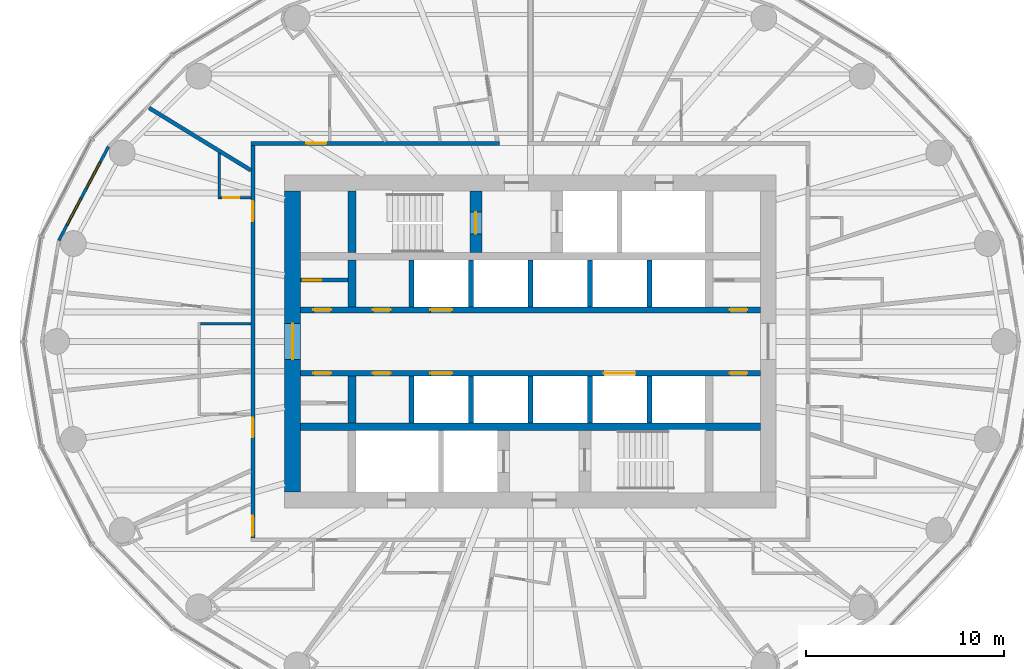
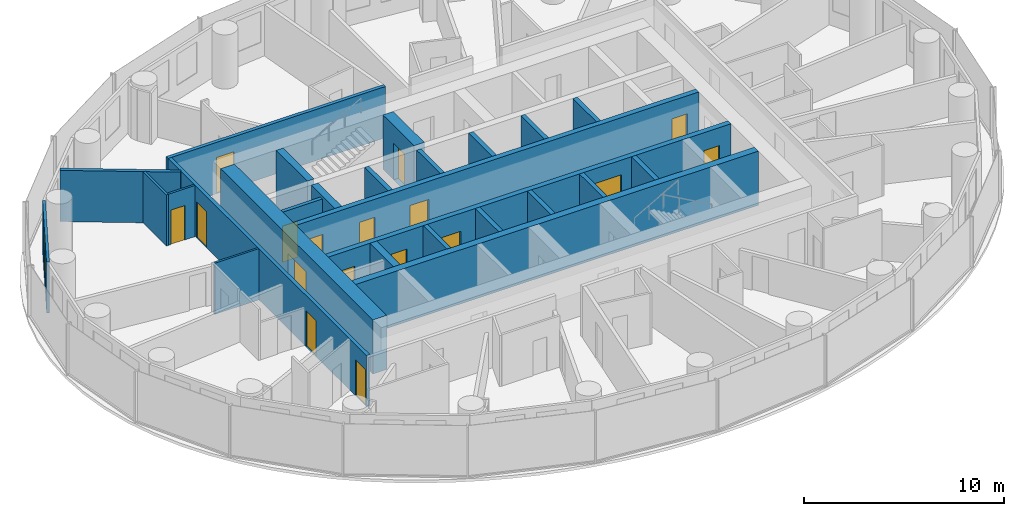
# One storey, part 8 of 13: 26 walls, 17 doors, 2 windows, 19 openings.
"""IFC4 building model written with IfcOpenShell, lengths in metres."""

import ifcopenshell
import ifcopenshell.guid

model = None  # the IFC model being written
_history = None  # IfcOwnerHistory: only IFC2X3 demands one
_inside = {}  # id of a spatial element -> (the spatial element, [elements in it])
_under = {}  # id of a project, library or spatial element -> (it, [spatial elements below it])
_declared = {}  # id of a project -> (the project, [libraries it declares])
_typed = {}  # id of a type object -> (the type object, [elements of that type])
_made_of = {}  # id of a material, layer set ... -> (it, [elements and type objects made of it])


def new_model(schema):
    """Start an empty IFC model of exactly this schema.

    Asked for "IFC4X3", IfcOpenShell would pick the latest addendum, in which some entities
    have other attributes; the version numbers below select the first issue.
    IFC2X3 requires an IfcOwnerHistory on every rooted entity: one is made here for all.
    """
    global model, _history
    if schema == "IFC4X3":
        model = ifcopenshell.file(schema_version=(4, 3, 0, 0))
    else:
        model = ifcopenshell.file(schema=schema)
    _inside.clear()
    _under.clear()
    _declared.clear()
    _typed.clear()
    _made_of.clear()
    _history = None
    if model.schema == "IFC2X3":
        org = make("IfcOrganization", Name="unknown")
        user = make(
            "IfcPersonAndOrganization",
            ThePerson=make("IfcPerson", FamilyName="unknown"),
            TheOrganization=org,
        )
        app = make(
            "IfcApplication",
            ApplicationDeveloper=org,
            Version="unknown",
            ApplicationFullName="unknown",
            ApplicationIdentifier="unknown",
        )
        _history = make(
            "IfcOwnerHistory",
            OwningUser=user,
            OwningApplication=app,
            ChangeAction="ADDED",
            CreationDate=0,
        )
    return model


def make(cls, **values):
    """One entity of the class cls with the attributes given. An attribute that is None is left unset."""
    return model.create_entity(
        cls, **{name: value for name, value in values.items() if value is not None}
    )


def rooted(cls, **values):
    """An entity with a GlobalId (a new one), such as an element, a storey or a relation."""
    return make(cls, GlobalId=ifcopenshell.guid.new(), OwnerHistory=_history, **values)


def si_unit(unit_type, name, prefix=None):
    """IfcSIUnit, for example si_unit("LENGTHUNIT", "METRE", prefix="MILLI")."""
    return make("IfcSIUnit", UnitType=unit_type, Prefix=prefix, Name=name)


def assignment(units):
    """IfcUnitAssignment: the units of a project."""
    return None if units is None else make("IfcUnitAssignment", Units=units)


def point(xyz):
    """IfcCartesianPoint."""
    return None if xyz is None else make("IfcCartesianPoint", Coordinates=xyz)


def direction(xyz):
    """IfcDirection."""
    return None if xyz is None else make("IfcDirection", DirectionRatios=xyz)


def frame(location, z_axis=None, x_axis=None):
    """IfcAxis2Placement3D, a coordinate frame: its origin and axes. An axis left out is left unset."""
    return make(
        "IfcAxis2Placement3D",
        Location=point(location),
        Axis=direction(z_axis),
        RefDirection=direction(x_axis),
    )


def frame_2d(location, x_axis=None):
    """IfcAxis2Placement2D, a coordinate frame in the plane: its origin and x axis."""
    return make(
        "IfcAxis2Placement2D", Location=point(location), RefDirection=direction(x_axis)
    )


def origin():
    """The frame at (0, 0, 0) with its axes left unset."""
    return frame((0.0, 0.0, 0.0))


def place(relative_to, where):
    """IfcLocalPlacement: puts the frame where relative to a parent placement (None: the world)."""
    return make(
        "IfcLocalPlacement", PlacementRelTo=relative_to, RelativePlacement=where
    )


def context(
    kind, dimensions, precision=None, world=None, true_north=None, identifier=None
):
    """IfcGeometricRepresentationContext, for example the 3D "Model" context."""
    return make(
        "IfcGeometricRepresentationContext",
        ContextIdentifier=identifier,
        ContextType=kind,
        CoordinateSpaceDimension=dimensions,
        Precision=precision,
        WorldCoordinateSystem=world,
        TrueNorth=true_north,
    )


def subcontext(parent, identifier, kind, view, scale=None):
    """IfcGeometricRepresentationSubContext, for example "Body" below "Model"."""
    return make(
        "IfcGeometricRepresentationSubContext",
        ContextIdentifier=identifier,
        ContextType=kind,
        ParentContext=parent,
        TargetScale=scale,
        TargetView=view,
    )


def project(units=None, contexts=None):
    """IfcProject with its units and contexts."""
    return rooted(
        "IfcProject",
        Name="project",
        RepresentationContexts=contexts,
        UnitsInContext=assignment(units),
    )


def spatial(cls, under=None, at=None, **own):
    """A site, building, storey or space (cls), placed at a placement, below another one or the project."""
    s = rooted(cls, ObjectPlacement=at, **own)
    if under is not None:
        _under.setdefault(under.id(), (under, []))[1].append(s)
    return s


def profile(cls, at=None, kind="AREA", **sizes):
    """A parametric profile (cls). Its sizes go by their IFC names, for example OverallWidth=200.0."""
    return make(cls, ProfileType=kind, Position=at, **sizes)


def rectangle(**sizes):
    """IfcRectangleProfileDef."""
    return profile("IfcRectangleProfileDef", **sizes)


def extrude(swept, where, along, depth):
    """IfcExtrudedAreaSolid: the profile swept, set in the frame where, extruded along a direction by depth."""
    return make(
        "IfcExtrudedAreaSolid",
        SweptArea=swept,
        Position=where,
        ExtrudedDirection=direction(along),
        Depth=depth,
    )


def shape(context_of_items, identifier, shape_type, items):
    """IfcShapeRepresentation: the items that make up one representation, for example the "Body"."""
    return make(
        "IfcShapeRepresentation",
        ContextOfItems=context_of_items,
        RepresentationIdentifier=identifier,
        RepresentationType=shape_type,
        Items=items,
    )


def material(Name=None, Category=None):
    """IfcMaterial."""
    return make("IfcMaterial", Name=Name, Category=Category)


def layer(
    of_material, thickness, ventilated=None, Name=None, Category=None, Priority=None
):
    """IfcMaterialLayer: one layer of a wall or slab, of a material (None: an air gap)."""
    return make(
        "IfcMaterialLayer",
        Material=of_material,
        LayerThickness=thickness,
        IsVentilated=ventilated,
        Name=Name,
        Category=Category,
        Priority=Priority,
    )


def layer_set(layers, Name=None):
    """IfcMaterialLayerSet."""
    return make("IfcMaterialLayerSet", MaterialLayers=layers, LayerSetName=Name)


def made_of(thing, what):
    """Note that an element or type object is made of a material, layer set ...; save() writes the relation."""
    if what is not None:
        _made_of.setdefault(what.id(), (what, []))[1].append(thing)
    return thing


def type_object(cls, material=None, **own):
    """A type object (cls), such as IfcWallType, which elements share."""
    return made_of(rooted(cls, **own), material)


def element(
    cls,
    number,
    at=None,
    inside=None,
    cuts=None,
    type_object=None,
    material=None,
    context=None,
    identifier="Body",
    shape_type=None,
    held_by="IfcProductDefinitionShape",
    body=None,
    shapes=None,
    **own,
):
    """One element of the class cls, such as IfcWall. Its Tag is "e" and its number.

    at: its placement. inside: the storey or other place that contains it. cuts: it is an
    opening in that element (IfcRelVoidsElement). A single representation is given by context,
    identifier, shape_type and body (its items); several are given by shapes. held_by: the class
    of the entity that holds the representations. save() writes the other relations.
    """
    e = rooted(cls, Tag="e%d" % number, ObjectPlacement=at, **own)
    if body is not None:
        shapes = [shape(context, identifier, shape_type, body)]
    if shapes is not None:
        e.Representation = make(held_by, Representations=shapes)
    if inside is not None:
        _inside.setdefault(inside.id(), (inside, []))[1].append(e)
    if cuts is not None:
        rooted(
            "IfcRelVoidsElement", RelatingBuildingElement=cuts, RelatedOpeningElement=e
        )
    if type_object is not None:
        _typed.setdefault(type_object.id(), (type_object, []))[1].append(e)
    return made_of(e, material)


def fill(opening, filler):
    """IfcRelFillsElement: the door or window that sits in an opening."""
    return rooted(
        "IfcRelFillsElement",
        RelatingOpeningElement=opening,
        RelatedBuildingElement=filler,
    )


def aggregate(whole, parts):
    """IfcRelAggregates: a whole, such as a stair, and the parts it consists of."""
    return rooted("IfcRelAggregates", RelatingObject=whole, RelatedObjects=parts)


def save(model, path):
    """Write the relations noted so far, then the file.

    IfcRelAggregates (storeys below a building ...), IfcRelContainedInSpatialStructure (elements
    in a storey), IfcRelDefinesByType, IfcRelAssociatesMaterial and IfcRelDeclares: one each for
    every whole, place, type object, material and project.
    """
    for whole, parts in _under.values():
        aggregate(whole, parts)
    for where, things in _inside.values():
        rooted(
            "IfcRelContainedInSpatialStructure",
            RelatedElements=things,
            RelatingStructure=where,
        )
    for kind, things in _typed.values():
        rooted("IfcRelDefinesByType", RelatedObjects=things, RelatingType=kind)
    for what, things in _made_of.values():
        rooted("IfcRelAssociatesMaterial", RelatedObjects=things, RelatingMaterial=what)
    for by, libraries in _declared.values():
        rooted("IfcRelDeclares", RelatingContext=by, RelatedDefinitions=libraries)
    model.write(path)


model = new_model("IFC4")

# Units and contexts
model_context = context("Model", 3, precision=1e-05, world=origin(), true_north=direction((0.0, 1.0)))
body_context = subcontext(model_context, "Body", "Model", "MODEL_VIEW")
ifc_project = project(units=[si_unit("LENGTHUNIT", "METRE"), si_unit("AREAUNIT", "SQUARE_METRE"), si_unit("VOLUMEUNIT", "CUBIC_METRE"), si_unit("PLANEANGLEUNIT", "RADIAN"), si_unit("MASSUNIT", "GRAM", prefix="KILO")], contexts=[model_context])

# Site, building, storey
site_placement = place(None, origin())
site = spatial("IfcSite", under=ifc_project, at=site_placement, CompositionType="ELEMENT")
building_placement = place(site_placement, origin())
building = spatial("IfcBuilding", under=site, at=building_placement, Name="Hankou Lantern Tower", CompositionType="ELEMENT")
storey_placement = place(building_placement, frame((0.0, 0.0, 132.0)))
storey = spatial("IfcBuildingStorey", under=building, at=storey_placement, Name="L34", CompositionType="ELEMENT", Elevation=132.0)

# Wall, opening, door
ifc_material_1 = material(Name="Concrete C60", Category="concrete")
ifc_layer_1 = layer(ifc_material_1, 0.800048828125)
ifc_layer_set_1 = layer_set([ifc_layer_1], Name="Concrete C60")
wall_type_1 = type_object("IfcWallType", Name="CW2 CORE WALL 800", PredefinedType="SHEAR", material=ifc_layer_set_1)
wall_1_placement = place(storey_placement, frame((-12.0, 7.60009765625, 0.0), z_axis=(0.0, 0.0, 1.0), x_axis=(0.0, -1.0, 0.0)))
wall_1 = element("IfcWall", 1, at=wall_1_placement, inside=storey, type_object=wall_type_1, Name="Core wall west L34", PredefinedType="SHEAR", context=body_context, shape_type="SweptSolid", body=[
    extrude(rectangle(XDim=15.2001953125, YDim=0.800048828125, at=frame_2d((7.60009765625, 0.0))), origin(), (0.0, 0.0, 1.0), 3.300048828125),
])
opening_1_placement = place(wall_1_placement, frame((6.699951171875, 0.0, 0.0)))
opening_1 = element("IfcOpeningElement", 2, at=opening_1_placement, cuts=wall_1, Name="Opening D6", PredefinedType="OPENING", context=body_context, shape_type="SweptSolid", body=[
    extrude(rectangle(XDim=1.800048828125, YDim=2.199951171875, at=frame_2d((0.89990234375, 1.10009765625))), frame((0.0, 0.409912109375, 0.0), z_axis=(0.0, -1.0, 0.0), x_axis=(1.0, 0.0, 0.0)), (0.0, 0.0, 1.0), 0.820068359375),
])
ifc_material_2 = material(Name="Steel door leaf", Category="steel")
door_type_1 = type_object("IfcDoorType", Name="D6 LIFT LOBBY DOOR 1800X2200", OperationType="DOUBLE_DOOR_DOUBLE_SWING", PredefinedType="DOOR", material=ifc_material_2)
door_1_placement = place(opening_1_placement, origin())
door_1 = element("IfcDoor", 3, at=door_1_placement, inside=storey, type_object=door_type_1, Name="Lift lobby west door", OperationType="DOUBLE_DOOR_DOUBLE_SWING", OverallHeight=2.199951171875, OverallWidth=1.800048828125, PredefinedType="DOOR", context=body_context, shape_type="SweptSolid", body=[
    extrude(rectangle(XDim=1.800048828125, YDim=2.199951171875, at=frame_2d((0.89990234375, 1.10009765625))), frame((0.0, 0.02490234375, 0.0), z_axis=(0.0, -1.0, 0.0), x_axis=(1.0, 0.0, 0.0)), (0.0, 0.0, 1.0), 0.050048828125),
])
fill(opening_1, door_1)

# Walls
ifc_material_3 = material(Name="Concrete C60", Category="concrete")
ifc_layer_2 = layer(ifc_material_3, 0.39990234375)
ifc_layer_set_2 = layer_set([ifc_layer_2], Name="Concrete C60")
wall_type_2 = type_object("IfcWallType", Name="CW4 CORE CROSS WALL 400", PredefinedType="SHEAR", material=ifc_layer_set_2)
wall_2_placement = place(storey_placement, frame((-11.60009765625, -4.300048828125, 0.0), z_axis=(0.0, 0.0, 1.0), x_axis=(1.0, 0.0, 0.0)))
element("IfcWall", 4, at=wall_2_placement, inside=storey, type_object=wall_type_2, Name="Core band wall south L34", PredefinedType="SHEAR", context=body_context, shape_type="SweptSolid", body=[
    extrude(rectangle(XDim=23.2001953125, YDim=0.39990234375, at=frame_2d((11.60009765625, 0.0))), origin(), (0.0, 0.0, 1.0), 3.300048828125),
])
wall_3_placement = place(storey_placement, frame((-9.0, 4.5, 0.0), z_axis=(0.0, 0.0, 1.0), x_axis=(0.0, 1.0, 0.0)))
element("IfcWall", 5, at=wall_3_placement, inside=storey, type_object=wall_type_2, Name="Core strip wall L34", PredefinedType="SHEAR", context=body_context, shape_type="SweptSolid", body=[
    extrude(rectangle(XDim=3.10009765625, YDim=0.39990234375, at=frame_2d((1.550048828125, 0.0))), origin(), (0.0, 0.0, 1.0), 3.300048828125),
])
for number, where, z_axis, x_axis, name in (
    (6, (-9.0, 1.75, 0.0), (0.0, 0.0, 1.0), (0.0, 1.0, 0.0), "Core strip wall L34"),
    (7, (-9.0, -4.10009765625, 0.0), (0.0, 0.0, 1.0), (0.0, 1.0, 0.0), "Core strip wall L34"),
):
    element("IfcWall", number, at=place(storey_placement, frame(where, z_axis=z_axis, x_axis=x_axis)), inside=storey, type_object=wall_type_2, Name=name, PredefinedType="SHEAR", context=body_context, shape_type="SweptSolid", body=[
        extrude(rectangle(XDim=2.35009765625, YDim=0.39990234375, at=frame_2d((1.175048828125, 0.0))), origin(), (0.0, 0.0, 1.0), 3.300048828125),
    ])

# Wall, openings, doors
ifc_material_4 = material(Name="Concrete C60", Category="concrete")
ifc_layer_3 = layer(ifc_material_4, 0.300048828125)
ifc_layer_set_3 = layer_set([ifc_layer_3], Name="Concrete C60")
wall_type_3 = type_object("IfcWallType", Name="CW5 LIFT LOBBY WALL 300", PredefinedType="SHEAR", material=ifc_layer_set_3)
wall_4_placement = place(storey_placement, frame((-11.60009765625, 1.60009765625, 0.0), z_axis=(0.0, 0.0, 1.0), x_axis=(1.0, 0.0, 0.0)))
wall_4 = element("IfcWall", 8, at=wall_4_placement, inside=storey, type_object=wall_type_3, Name="Lift lobby wall north L34", PredefinedType="SHEAR", context=body_context, shape_type="SweptSolid", body=[
    extrude(rectangle(XDim=23.2001953125, YDim=0.300048828125, at=frame_2d((11.60009765625, 0.0))), origin(), (0.0, 0.0, 1.0), 3.300048828125),
])
opening_2_placement = place(wall_4_placement, frame((6.550048828125, 0.0, 0.0)))
opening_2 = element("IfcOpeningElement", 9, at=opening_2_placement, cuts=wall_4, Name="Opening LD1", PredefinedType="OPENING", context=body_context, shape_type="SweptSolid", body=[
    extrude(rectangle(XDim=1.10009765625, YDim=2.199951171875, at=frame_2d((0.550048828125, 1.10009765625))), frame((0.0, 0.159912109375, 0.0), z_axis=(0.0, -1.0, 0.0), x_axis=(1.0, 0.0, 0.0)), (0.0, 0.0, 1.0), 0.320068359375),
])
opening_3_placement = place(wall_4_placement, frame((3.64990234375, 0.0, 0.0)))
opening_3 = element("IfcOpeningElement", 10, at=opening_3_placement, cuts=wall_4, Name="Opening D30", PredefinedType="OPENING", context=body_context, shape_type="SweptSolid", body=[
    extrude(rectangle(XDim=0.89990234375, YDim=2.199951171875, at=frame_2d((0.449951171875, 1.10009765625))), frame((0.0, 0.159912109375, 0.0), z_axis=(0.0, -1.0, 0.0), x_axis=(1.0, 0.0, 0.0)), (0.0, 0.0, 1.0), 0.320068359375),
])
opening_4_placement = place(wall_4_placement, frame((21.64990234375, 0.0, 0.0)))
opening_4 = element("IfcOpeningElement", 11, at=opening_4_placement, cuts=wall_4, Name="Opening D30", PredefinedType="OPENING", context=body_context, shape_type="SweptSolid", body=[
    extrude(rectangle(XDim=0.89990234375, YDim=2.199951171875, at=frame_2d((0.449951171875, 1.10009765625))), frame((0.0, 0.159912109375, 0.0), z_axis=(0.0, -1.0, 0.0), x_axis=(1.0, 0.0, 0.0)), (0.0, 0.0, 1.0), 0.320068359375),
])
opening_5_placement = place(wall_4_placement, frame((0.64990234375, 0.0, 0.0)))
opening_5 = element("IfcOpeningElement", 12, at=opening_5_placement, cuts=wall_4, Name="Opening D30", PredefinedType="OPENING", context=body_context, shape_type="SweptSolid", body=[
    extrude(rectangle(XDim=0.89990234375, YDim=2.199951171875, at=frame_2d((0.449951171875, 1.10009765625))), frame((0.0, 0.159912109375, 0.0), z_axis=(0.0, -1.0, 0.0), x_axis=(1.0, 0.0, 0.0)), (0.0, 0.0, 1.0), 0.320068359375),
])
ifc_material_5 = material(Name="Steel door leaf", Category="steel")
door_type_2 = type_object("IfcDoorType", Name="D30 CORE ROOM DOOR 900X2200", OperationType="SINGLE_SWING_LEFT", PredefinedType="DOOR", material=ifc_material_5)
door_2_placement = place(opening_3_placement, origin())
door_2 = element("IfcDoor", 13, at=door_2_placement, inside=storey, type_object=door_type_2, Name="Guest pantry and ice room door", OperationType="SINGLE_SWING_LEFT", OverallHeight=2.199951171875, OverallWidth=0.89990234375, PredefinedType="DOOR", context=body_context, shape_type="SweptSolid", body=[
    extrude(rectangle(XDim=0.89990234375, YDim=2.199951171875, at=frame_2d((0.449951171875, 1.10009765625))), frame((0.0, 0.02490234375, 0.0), z_axis=(0.0, -1.0, 0.0), x_axis=(1.0, 0.0, 0.0)), (0.0, 0.0, 1.0), 0.050048828125),
])
fill(opening_3, door_2)
door_3_placement = place(opening_4_placement, origin())
door_3 = element("IfcDoor", 14, at=door_3_placement, inside=storey, type_object=door_type_2, Name="Vending room door", OperationType="SINGLE_SWING_RIGHT", OverallHeight=2.199951171875, OverallWidth=0.89990234375, PredefinedType="DOOR", context=body_context, shape_type="SweptSolid", body=[
    extrude(rectangle(XDim=0.89990234375, YDim=2.199951171875, at=frame_2d((0.449951171875, 1.10009765625))), frame((0.0, 0.02490234375, 0.0), z_axis=(0.0, -1.0, 0.0), x_axis=(1.0, 0.0, 0.0)), (0.0, 0.0, 1.0), 0.050048828125),
])
fill(opening_4, door_3)
door_4_placement = place(opening_5_placement, origin())
door_4 = element("IfcDoor", 15, at=door_4_placement, inside=storey, type_object=door_type_2, Name="IT and telecoms room door", OperationType="SINGLE_SWING_LEFT", OverallHeight=2.199951171875, OverallWidth=0.89990234375, PredefinedType="DOOR", context=body_context, shape_type="SweptSolid", body=[
    extrude(rectangle(XDim=0.89990234375, YDim=2.199951171875, at=frame_2d((0.449951171875, 1.10009765625))), frame((0.0, 0.02490234375, 0.0), z_axis=(0.0, -1.0, 0.0), x_axis=(1.0, 0.0, 0.0)), (0.0, 0.0, 1.0), 0.050048828125),
])
fill(opening_5, door_4)
ifc_material_6 = material(Name="Steel door leaf", Category="steel")
door_type_3 = type_object("IfcDoorType", Name="LD1 LIFT LANDING DOOR 1100X2200", OperationType="DOUBLE_DOOR_SLIDING", PredefinedType="DOOR", material=ifc_material_6)
door_5_placement = place(opening_2_placement, origin())
door_5 = element("IfcDoor", 16, at=door_5_placement, inside=storey, type_object=door_type_3, Name="Lift M1 landing door", OperationType="DOUBLE_DOOR_SLIDING", OverallHeight=2.199951171875, OverallWidth=1.10009765625, PredefinedType="DOOR", context=body_context, shape_type="SweptSolid", body=[
    extrude(rectangle(XDim=1.10009765625, YDim=2.199951171875, at=frame_2d((0.550048828125, 1.10009765625))), frame((0.0, 0.02490234375, 0.0), z_axis=(0.0, -1.0, 0.0), x_axis=(1.0, 0.0, 0.0)), (0.0, 0.0, 1.0), 0.050048828125),
])
fill(opening_2, door_5)

wall_5_placement = place(storey_placement, frame((-11.60009765625, -1.60009765625, 0.0), z_axis=(0.0, 0.0, 1.0), x_axis=(1.0, 0.0, 0.0)))
wall_5 = element("IfcWall", 17, at=wall_5_placement, inside=storey, type_object=wall_type_3, Name="Lift lobby wall south L34", PredefinedType="SHEAR", context=body_context, shape_type="SweptSolid", body=[
    extrude(rectangle(XDim=23.2001953125, YDim=0.300048828125, at=frame_2d((11.60009765625, 0.0))), origin(), (0.0, 0.0, 1.0), 3.300048828125),
])
opening_6_placement = place(wall_5_placement, frame((6.550048828125, 0.0, 0.0)))
opening_6 = element("IfcOpeningElement", 18, at=opening_6_placement, cuts=wall_5, Name="Opening LD1", PredefinedType="OPENING", context=body_context, shape_type="SweptSolid", body=[
    extrude(rectangle(XDim=1.10009765625, YDim=2.199951171875, at=frame_2d((0.550048828125, 1.10009765625))), frame((0.0, 0.159912109375, 0.0), z_axis=(0.0, -1.0, 0.0), x_axis=(1.0, 0.0, 0.0)), (0.0, 0.0, 1.0), 0.320068359375),
])
opening_7_placement = place(wall_5_placement, frame((15.300048828125, 0.0, 0.0)))
opening_7 = element("IfcOpeningElement", 19, at=opening_7_placement, cuts=wall_5, Name="Opening LD4", PredefinedType="OPENING", context=body_context, shape_type="SweptSolid", body=[
    extrude(rectangle(XDim=1.60009765625, YDim=2.39990234375, at=frame_2d((0.800048828125, 1.199951171875))), frame((0.0, 0.159912109375, 0.0), z_axis=(0.0, -1.0, 0.0), x_axis=(1.0, 0.0, 0.0)), (0.0, 0.0, 1.0), 0.320068359375),
])
opening_8_placement = place(wall_5_placement, frame((0.64990234375, 0.0, 0.0)))
opening_8 = element("IfcOpeningElement", 20, at=opening_8_placement, cuts=wall_5, Name="Opening D30", PredefinedType="OPENING", context=body_context, shape_type="SweptSolid", body=[
    extrude(rectangle(XDim=0.89990234375, YDim=2.199951171875, at=frame_2d((0.449951171875, 1.10009765625))), frame((0.0, 0.159912109375, 0.0), z_axis=(0.0, -1.0, 0.0), x_axis=(1.0, 0.0, 0.0)), (0.0, 0.0, 1.0), 0.320068359375),
])
opening_9_placement = place(wall_5_placement, frame((3.64990234375, 0.0, 0.0)))
opening_9 = element("IfcOpeningElement", 21, at=opening_9_placement, cuts=wall_5, Name="Opening D30", PredefinedType="OPENING", context=body_context, shape_type="SweptSolid", body=[
    extrude(rectangle(XDim=0.89990234375, YDim=2.199951171875, at=frame_2d((0.449951171875, 1.10009765625))), frame((0.0, 0.159912109375, 0.0), z_axis=(0.0, -1.0, 0.0), x_axis=(1.0, 0.0, 0.0)), (0.0, 0.0, 1.0), 0.320068359375),
])
opening_10_placement = place(wall_5_placement, frame((21.64990234375, 0.0, 0.0)))
opening_10 = element("IfcOpeningElement", 22, at=opening_10_placement, cuts=wall_5, Name="Opening D30", PredefinedType="OPENING", context=body_context, shape_type="SweptSolid", body=[
    extrude(rectangle(XDim=0.89990234375, YDim=2.199951171875, at=frame_2d((0.449951171875, 1.10009765625))), frame((0.0, 0.159912109375, 0.0), z_axis=(0.0, -1.0, 0.0), x_axis=(1.0, 0.0, 0.0)), (0.0, 0.0, 1.0), 0.320068359375),
])
door_6_placement = place(opening_8_placement, origin())
door_6 = element("IfcDoor", 23, at=door_6_placement, inside=storey, type_object=door_type_2, Name="Room service pantry door", OperationType="SINGLE_SWING_LEFT", OverallHeight=2.199951171875, OverallWidth=0.89990234375, PredefinedType="DOOR", context=body_context, shape_type="SweptSolid", body=[
    extrude(rectangle(XDim=0.89990234375, YDim=2.199951171875, at=frame_2d((0.449951171875, 1.10009765625))), frame((0.0, 0.02490234375, 0.0), z_axis=(0.0, -1.0, 0.0), x_axis=(1.0, 0.0, 0.0)), (0.0, 0.0, 1.0), 0.050048828125),
])
fill(opening_8, door_6)
door_7_placement = place(opening_9_placement, origin())
door_7 = element("IfcDoor", 24, at=door_7_placement, inside=storey, type_object=door_type_2, Name="Housekeeping and linen store door", OperationType="SINGLE_SWING_LEFT", OverallHeight=2.199951171875, OverallWidth=0.89990234375, PredefinedType="DOOR", context=body_context, shape_type="SweptSolid", body=[
    extrude(rectangle(XDim=0.89990234375, YDim=2.199951171875, at=frame_2d((0.449951171875, 1.10009765625))), frame((0.0, 0.02490234375, 0.0), z_axis=(0.0, -1.0, 0.0), x_axis=(1.0, 0.0, 0.0)), (0.0, 0.0, 1.0), 0.050048828125),
])
fill(opening_9, door_7)
door_8_placement = place(opening_10_placement, origin())
door_8 = element("IfcDoor", 25, at=door_8_placement, inside=storey, type_object=door_type_2, Name="Staff locker room door", OperationType="SINGLE_SWING_RIGHT", OverallHeight=2.199951171875, OverallWidth=0.89990234375, PredefinedType="DOOR", context=body_context, shape_type="SweptSolid", body=[
    extrude(rectangle(XDim=0.89990234375, YDim=2.199951171875, at=frame_2d((0.449951171875, 1.10009765625))), frame((0.0, 0.02490234375, 0.0), z_axis=(0.0, -1.0, 0.0), x_axis=(1.0, 0.0, 0.0)), (0.0, 0.0, 1.0), 0.050048828125),
])
fill(opening_10, door_8)
door_9_placement = place(opening_6_placement, origin())
door_9 = element("IfcDoor", 26, at=door_9_placement, inside=storey, type_object=door_type_3, Name="Lift M2 landing door", OperationType="DOUBLE_DOOR_SLIDING", OverallHeight=2.199951171875, OverallWidth=1.10009765625, PredefinedType="DOOR", context=body_context, shape_type="SweptSolid", body=[
    extrude(rectangle(XDim=1.10009765625, YDim=2.199951171875, at=frame_2d((0.550048828125, 1.10009765625))), frame((0.0, 0.02490234375, 0.0), z_axis=(0.0, -1.0, 0.0), x_axis=(1.0, 0.0, 0.0)), (0.0, 0.0, 1.0), 0.050048828125),
])
fill(opening_6, door_9)
ifc_material_7 = material(Name="Steel door leaf", Category="steel")
door_type_4 = type_object("IfcDoorType", Name="LD4 SERVICE LIFT LANDING DOOR 1600X2400", OperationType="DOUBLE_DOOR_SLIDING", PredefinedType="DOOR", material=ifc_material_7)
door_10_placement = place(opening_7_placement, origin())
door_10 = element("IfcDoor", 27, at=door_10_placement, inside=storey, type_object=door_type_4, Name="Lift SV1 landing door", OperationType="DOUBLE_DOOR_SLIDING", OverallHeight=2.39990234375, OverallWidth=1.60009765625, PredefinedType="DOOR", context=body_context, shape_type="SweptSolid", body=[
    extrude(rectangle(XDim=1.60009765625, YDim=2.39990234375, at=frame_2d((0.800048828125, 1.199951171875))), frame((0.0, 0.02490234375, 0.0), z_axis=(0.0, -1.0, 0.0), x_axis=(1.0, 0.0, 0.0)), (0.0, 0.0, 1.0), 0.050048828125),
])
fill(opening_7, door_10)

# Wall, opening, door
ifc_material_8 = material(Name="Concrete C60", Category="concrete")
ifc_layer_4 = layer(ifc_material_8, 0.60009765625)
ifc_layer_set_4 = layer_set([ifc_layer_4], Name="Concrete C60")
wall_type_4 = type_object("IfcWallType", Name="CW6 STAIR AND SHAFT WALL 600", PredefinedType="SHEAR", material=ifc_layer_set_4)
wall_6_placement = place(storey_placement, frame((-2.75, 4.5, 0.0), z_axis=(0.0, 0.0, 1.0), x_axis=(0.0, 1.0, 0.0)))
wall_6 = element("IfcWall", 28, at=wall_6_placement, inside=storey, type_object=wall_type_4, Name="Stair wall L34", PredefinedType="SHEAR", context=body_context, shape_type="SweptSolid", body=[
    extrude(rectangle(XDim=3.10009765625, YDim=0.60009765625, at=frame_2d((1.550048828125, 0.0))), origin(), (0.0, 0.0, 1.0), 3.300048828125),
])
opening_11_placement = place(wall_6_placement, frame((0.925048828125, 0.0, 0.0)))
opening_11 = element("IfcOpeningElement", 29, at=opening_11_placement, cuts=wall_6, Name="Opening D4", PredefinedType="OPENING", context=body_context, shape_type="SweptSolid", body=[
    extrude(rectangle(XDim=1.10009765625, YDim=2.199951171875, at=frame_2d((0.550048828125, 1.10009765625))), frame((0.0, 0.31005859375, 0.0), z_axis=(0.0, -1.0, 0.0), x_axis=(1.0, 0.0, 0.0)), (0.0, 0.0, 1.0), 0.6201171875),
])
ifc_material_9 = material(Name="Steel door leaf", Category="steel")
door_type_5 = type_object("IfcDoorType", Name="D4 STAIR DOOR 1100X2200", OperationType="SINGLE_SWING_LEFT", PredefinedType="DOOR", material=ifc_material_9)
door_11_placement = place(opening_11_placement, origin())
door_11 = element("IfcDoor", 30, at=door_11_placement, inside=storey, type_object=door_type_5, Name="Stair A door", OperationType="SINGLE_SWING_LEFT", OverallHeight=2.199951171875, OverallWidth=1.10009765625, PredefinedType="DOOR", context=body_context, shape_type="SweptSolid", body=[
    extrude(rectangle(XDim=1.10009765625, YDim=2.199951171875, at=frame_2d((0.550048828125, 1.10009765625))), frame((0.0, 0.02490234375, 0.0), z_axis=(0.0, -1.0, 0.0), x_axis=(1.0, 0.0, 0.0)), (0.0, 0.0, 1.0), 0.050048828125),
])
fill(opening_11, door_11)

# Wall, openings, windows
ifc_material_10 = material(Name="Aluminium spandrel panel on steel studs", Category="steel")
ifc_layer_5 = layer(ifc_material_10, 0.14990234375)
ifc_layer_set_5 = layer_set([ifc_layer_5], Name="Aluminium spandrel panel on steel studs")
wall_type_5 = type_object("IfcWallType", Name="EW1 INNER SKIN WALL 150", PredefinedType="ELEMENTEDWALL", material=ifc_layer_set_5)
wall_7_placement = place(storey_placement, frame((-21.287353515625, 9.83203125, 0.0), z_axis=(0.0, 0.0, 1.0), x_axis=(-0.467814388454, -0.883826735257, 0.0)))
wall_7 = element("IfcWall", 31, at=wall_7_placement, inside=storey, type_object=wall_type_5, Name="Inner skin R11-R12 L34", PredefinedType="ELEMENTEDWALL", context=body_context, shape_type="SweptSolid", body=[
    extrude(rectangle(XDim=5.35400390625, YDim=0.14990234375, at=frame_2d((2.677001953125, 0.0))), origin(), (0.0, 0.0, 1.0), 3.1201171875),
])
opening_12_placement = place(wall_7_placement, frame((0.876953125, 0.0, 0.89990234375)))
opening_12 = element("IfcOpeningElement", 32, at=opening_12_placement, cuts=wall_7, Name="Opening W2", PredefinedType="OPENING", context=body_context, shape_type="SweptSolid", body=[
    extrude(rectangle(XDim=1.5, YDim=1.89990234375, at=frame_2d((0.75, 0.949951171875))), frame((0.0, 0.0849609375, 0.0), z_axis=(0.0, -1.0, 0.0), x_axis=(1.0, 0.0, 0.0)), (0.0, 0.0, 1.0), 0.169921875),
])
opening_13_placement = place(wall_7_placement, frame((2.97705078125, 0.0, 0.89990234375)))
opening_13 = element("IfcOpeningElement", 33, at=opening_13_placement, cuts=wall_7, Name="Opening W2", PredefinedType="OPENING", context=body_context, shape_type="SweptSolid", body=[
    extrude(rectangle(XDim=1.5, YDim=1.89990234375, at=frame_2d((0.75, 0.949951171875))), frame((0.0, 0.0849609375, 0.0), z_axis=(0.0, -1.0, 0.0), x_axis=(1.0, 0.0, 0.0)), (0.0, 0.0, 1.0), 0.169921875),
])
ifc_material_11 = material(Name="Aluminium framed double glazed window", Category="aluminium")
window_type = type_object("IfcWindowType", Name="W2 GUEST ROOM WINDOW 1500X1900", PartitioningType="DOUBLE_PANEL_VERTICAL", PredefinedType="WINDOW", material=ifc_material_11)
window_1_placement = place(opening_12_placement, origin())
window_1 = element("IfcWindow", 34, at=window_1_placement, inside=storey, type_object=window_type, Name="Window R11.1 L34", OverallHeight=1.89990234375, OverallWidth=1.5, PartitioningType="SINGLE_PANEL", PredefinedType="WINDOW", context=body_context, shape_type="SweptSolid", body=[
    extrude(rectangle(XDim=1.5, YDim=1.89990234375, at=frame_2d((0.75, 0.949951171875))), frame((0.0, 0.030029296875, 0.0), z_axis=(0.0, -1.0, 0.0), x_axis=(1.0, 0.0, 0.0)), (0.0, 0.0, 1.0), 0.06005859375),
])
fill(opening_12, window_1)
window_2_placement = place(opening_13_placement, origin())
window_2 = element("IfcWindow", 35, at=window_2_placement, inside=storey, type_object=window_type, Name="Window R11.2 L34", OverallHeight=1.89990234375, OverallWidth=1.5, PartitioningType="SINGLE_PANEL", PredefinedType="WINDOW", context=body_context, shape_type="SweptSolid", body=[
    extrude(rectangle(XDim=1.5, YDim=1.89990234375, at=frame_2d((0.75, 0.949951171875))), frame((0.0, 0.030029296875, 0.0), z_axis=(0.0, -1.0, 0.0), x_axis=(1.0, 0.0, 0.0)), (0.0, 0.0, 1.0), 0.06005859375),
])
fill(opening_13, window_2)

# Wall
ifc_material_12 = material(Name="Masonry lightweight concrete block", Category="masonry")
ifc_layer_6 = layer(ifc_material_12, 0.199951171875)
ifc_layer_set_6 = layer_set([ifc_layer_6], Name="Masonry lightweight concrete block")
wall_type_6 = type_object("IfcWallType", Name="IW1 GUEST ROOM PARTY WALL 200", PredefinedType="PARTITIONING", material=ifc_layer_set_6)
wall_8_placement = place(storey_placement, frame((-14.10009765625, 8.6376953125, 0.0), z_axis=(0.0, 0.0, 1.0), x_axis=(-0.852706758009, 0.5223898782, 0.0)))
element("IfcWall", 36, at=wall_8_placement, inside=storey, type_object=wall_type_6, Name="Party wall R10-R11", PredefinedType="PARTITIONING", context=body_context, shape_type="SweptSolid", body=[
    extrude(rectangle(XDim=6.0185546875, YDim=0.199951171875, at=frame_2d((3.00927734375, 0.0))), origin(), (0.0, 0.0, 1.0), 3.1201171875),
])

# Wall, opening, door
ifc_material_13 = material(Name="Masonry lightweight concrete block", Category="masonry")
ifc_layer_7 = layer(ifc_material_13, 0.199951171875)
ifc_layer_set_7 = layer_set([ifc_layer_7], Name="Masonry lightweight concrete block")
wall_type_7 = type_object("IfcWallType", Name="IW2 CORRIDOR WALL 200", PredefinedType="PARTITIONING", material=ifc_layer_set_7)
wall_9_placement = place(storey_placement, frame((-14.10009765625, 10.0, 0.0), z_axis=(0.0, 0.0, 1.0), x_axis=(1.0, 0.0, 0.0)))
wall_9 = element("IfcWall", 37, at=wall_9_placement, inside=storey, type_object=wall_type_7, Name="Corridor wall north", PredefinedType="PARTITIONING", context=body_context, shape_type="SweptSolid", body=[
    extrude(rectangle(XDim=12.534912109375, YDim=0.199951171875, at=frame_2d((6.267578125, 0.0))), origin(), (0.0, 0.0, 1.0), 3.1201171875),
])
opening_14_placement = place(wall_9_placement, frame((2.801025390625, 0.0, 0.0)))
opening_14 = element("IfcOpeningElement", 38, at=opening_14_placement, cuts=wall_9, Name="Opening D1", PredefinedType="OPENING", context=body_context, shape_type="SweptSolid", body=[
    extrude(rectangle(XDim=1.0, YDim=2.199951171875, at=frame_2d((0.5, 1.10009765625))), frame((0.0, 0.10986328125, 0.0), z_axis=(0.0, -1.0, 0.0), x_axis=(1.0, 0.0, 0.0)), (0.0, 0.0, 1.0), 0.219970703125),
])
ifc_material_14 = material(Name="Steel door leaf", Category="steel")
door_type_6 = type_object("IfcDoorType", Name="D1 GUEST ROOM DOOR 1000X2200", OperationType="SINGLE_SWING_LEFT", PredefinedType="DOOR", material=ifc_material_14)
door_12_placement = place(opening_14_placement, origin())
door_12 = element("IfcDoor", 39, at=door_12_placement, inside=storey, type_object=door_type_6, Name="Guest room door 3405", OperationType="SINGLE_SWING_RIGHT", OverallHeight=2.199951171875, OverallWidth=1.0, PredefinedType="DOOR", context=body_context, shape_type="SweptSolid", body=[
    extrude(rectangle(XDim=1.0, YDim=2.199951171875, at=frame_2d((0.5, 1.10009765625))), frame((0.0, 0.02490234375, 0.0), z_axis=(0.0, -1.0, 0.0), x_axis=(1.0, 0.0, 0.0)), (0.0, 0.0, 1.0), 0.050048828125),
])
fill(opening_14, door_12)

# Wall, openings, doors
wall_10_placement = place(storey_placement, frame((-14.0, 9.89990234375, 0.0), z_axis=(0.0, 0.0, 1.0), x_axis=(0.0, -1.0, 0.0)))
wall_10 = element("IfcWall", 40, at=wall_10_placement, inside=storey, type_object=wall_type_7, Name="Corridor wall west", PredefinedType="PARTITIONING", context=body_context, shape_type="SweptSolid", body=[
    extrude(rectangle(XDim=19.7998046875, YDim=0.199951171875, at=frame_2d((9.89990234375, 0.0))), origin(), (0.0, 0.0, 1.0), 3.1201171875),
])
opening_15_placement = place(wall_10_placement, frame((2.822265625, 0.0, 0.0)))
opening_15 = element("IfcOpeningElement", 41, at=opening_15_placement, cuts=wall_10, Name="Opening D2", PredefinedType="OPENING", context=body_context, shape_type="SweptSolid", body=[
    extrude(rectangle(XDim=1.0, YDim=2.199951171875, at=frame_2d((0.5, 1.10009765625))), frame((0.0, 0.10986328125, 0.0), z_axis=(0.0, -1.0, 0.0), x_axis=(1.0, 0.0, 0.0)), (0.0, 0.0, 1.0), 0.219970703125),
])
opening_16_placement = place(wall_10_placement, frame((13.74169921875, 0.0, 0.0)))
opening_16 = element("IfcOpeningElement", 42, at=opening_16_placement, cuts=wall_10, Name="Opening D1", PredefinedType="OPENING", context=body_context, shape_type="SweptSolid", body=[
    extrude(rectangle(XDim=1.0, YDim=2.199951171875, at=frame_2d((0.5, 1.10009765625))), frame((0.0, 0.10986328125, 0.0), z_axis=(0.0, -1.0, 0.0), x_axis=(1.0, 0.0, 0.0)), (0.0, 0.0, 1.0), 0.219970703125),
])
opening_17_placement = place(wall_10_placement, frame((18.697509765625, 0.0, 0.0)))
opening_17 = element("IfcOpeningElement", 43, at=opening_17_placement, cuts=wall_10, Name="Opening D1", PredefinedType="OPENING", context=body_context, shape_type="SweptSolid", body=[
    extrude(rectangle(XDim=1.0, YDim=2.199951171875, at=frame_2d((0.5, 1.10009765625))), frame((0.0, 0.10986328125, 0.0), z_axis=(0.0, -1.0, 0.0), x_axis=(1.0, 0.0, 0.0)), (0.0, 0.0, 1.0), 0.219970703125),
])
door_13_placement = place(opening_16_placement, origin())
door_13 = element("IfcDoor", 44, at=door_13_placement, inside=storey, type_object=door_type_6, Name="Guest room door 3407", OperationType="SINGLE_SWING_RIGHT", OverallHeight=2.199951171875, OverallWidth=1.0, PredefinedType="DOOR", context=body_context, shape_type="SweptSolid", body=[
    extrude(rectangle(XDim=1.0, YDim=2.199951171875, at=frame_2d((0.5, 1.10009765625))), frame((0.0, 0.02490234375, 0.0), z_axis=(0.0, -1.0, 0.0), x_axis=(1.0, 0.0, 0.0)), (0.0, 0.0, 1.0), 0.050048828125),
])
fill(opening_16, door_13)
door_14_placement = place(opening_17_placement, origin())
door_14 = element("IfcDoor", 45, at=door_14_placement, inside=storey, type_object=door_type_6, Name="Guest room door 3408", OperationType="SINGLE_SWING_RIGHT", OverallHeight=2.199951171875, OverallWidth=1.0, PredefinedType="DOOR", context=body_context, shape_type="SweptSolid", body=[
    extrude(rectangle(XDim=1.0, YDim=2.199951171875, at=frame_2d((0.5, 1.10009765625))), frame((0.0, 0.02490234375, 0.0), z_axis=(0.0, -1.0, 0.0), x_axis=(1.0, 0.0, 0.0)), (0.0, 0.0, 1.0), 0.050048828125),
])
fill(opening_17, door_14)
ifc_material_15 = material(Name="Steel door leaf", Category="steel")
door_type_7 = type_object("IfcDoorType", Name="D2 SUITE DOOR 1000X2200", OperationType="SINGLE_SWING_LEFT", PredefinedType="DOOR", material=ifc_material_15)
door_15_placement = place(opening_15_placement, origin())
door_15 = element("IfcDoor", 46, at=door_15_placement, inside=storey, type_object=door_type_7, Name="Suite door 3406C", OperationType="SINGLE_SWING_LEFT", OverallHeight=2.199951171875, OverallWidth=1.0, PredefinedType="DOOR", context=body_context, shape_type="SweptSolid", body=[
    extrude(rectangle(XDim=1.0, YDim=2.199951171875, at=frame_2d((0.5, 1.10009765625))), frame((0.0, 0.02490234375, 0.0), z_axis=(0.0, -1.0, 0.0), x_axis=(1.0, 0.0, 0.0)), (0.0, 0.0, 1.0), 0.050048828125),
])
fill(opening_15, door_15)

# Wall
ifc_material_16 = material(Name="Masonry lightweight concrete block", Category="masonry")
ifc_layer_8 = layer(ifc_material_16, 0.1201171875)
ifc_layer_set_8 = layer_set([ifc_layer_8], Name="Masonry lightweight concrete block")
wall_type_8 = type_object("IfcWallType", Name="IW3 BATHROOM WALL 120", PredefinedType="PARTITIONING", material=ifc_layer_set_8)
wall_11_placement = place(storey_placement, frame((-15.699951171875, 9.517822265625, 0.0), z_axis=(0.0, 0.0, 1.0), x_axis=(0.0, -1.0, 0.0)))
element("IfcWall", 47, at=wall_11_placement, inside=storey, type_object=wall_type_8, Name="Box wall 3406C 1", PredefinedType="PARTITIONING", context=body_context, shape_type="SweptSolid", body=[
    extrude(rectangle(XDim=2.320068359375, YDim=0.1201171875, at=frame_2d((1.16015625, 0.0))), origin(), (0.0, 0.0, 1.0), 3.1201171875),
])

# Wall, opening, door
wall_12_placement = place(storey_placement, frame((-14.10009765625, 7.2578125, 0.0), z_axis=(0.0, 0.0, 1.0), x_axis=(-1.0, 0.0, 0.0)))
wall_12 = element("IfcWall", 48, at=wall_12_placement, inside=storey, type_object=wall_type_8, Name="Box wall 3406C 1", PredefinedType="PARTITIONING", context=body_context, shape_type="SweptSolid", body=[
    extrude(rectangle(XDim=1.539794921875, YDim=0.1201171875, at=frame_2d((0.77001953125, 0.0))), origin(), (0.0, 0.0, 1.0), 3.1201171875),
])
opening_18_placement = place(wall_12_placement, frame((0.590087890625, 0.0, 0.0)))
opening_18 = element("IfcOpeningElement", 49, at=opening_18_placement, cuts=wall_12, Name="Opening D3", PredefinedType="OPENING", context=body_context, shape_type="SweptSolid", body=[
    extrude(rectangle(XDim=0.800048828125, YDim=2.10009765625, at=frame_2d((0.39990234375, 1.050048828125))), frame((0.0, 0.070068359375, 0.0), z_axis=(0.0, -1.0, 0.0), x_axis=(1.0, 0.0, 0.0)), (0.0, 0.0, 1.0), 0.14013671875),
])
ifc_material_17 = material(Name="Timber door leaf", Category="wood")
door_type_8 = type_object("IfcDoorType", Name="D3 BATHROOM DOOR 800X2100", OperationType="SINGLE_SWING_LEFT", PredefinedType="DOOR", material=ifc_material_17)
door_16_placement = place(opening_18_placement, origin())
door_16 = element("IfcDoor", 50, at=door_16_placement, inside=storey, type_object=door_type_8, Name="Corner suite 3406 guest WC door", OperationType="SINGLE_SWING_LEFT", OverallHeight=2.10009765625, OverallWidth=0.800048828125, PredefinedType="DOOR", context=body_context, shape_type="SweptSolid", body=[
    extrude(rectangle(XDim=0.800048828125, YDim=2.10009765625, at=frame_2d((0.39990234375, 1.050048828125))), frame((0.0, 0.02490234375, 0.0), z_axis=(0.0, -1.0, 0.0), x_axis=(1.0, 0.0, 0.0)), (0.0, 0.0, 1.0), 0.050048828125),
])
fill(opening_18, door_16)

# Wall
wall_13_placement = place(storey_placement, frame((-14.10009765625, 0.898193359375, 0.0), z_axis=(0.0, 0.0, 1.0), x_axis=(-1.0, 0.0, 0.0)))
element("IfcWall", 51, at=wall_13_placement, inside=storey, type_object=wall_type_8, Name="Box wall 3406A 1", PredefinedType="PARTITIONING", context=body_context, shape_type="SweptSolid", body=[
    extrude(rectangle(XDim=2.539794921875, YDim=0.1201171875, at=frame_2d((1.27001953125, 0.0))), origin(), (0.0, 0.0, 1.0), 3.1201171875),
])

# Wall, opening, door
ifc_material_18 = material(Name="Masonry lightweight concrete block", Category="masonry")
ifc_layer_9 = layer(ifc_material_18, 0.199951171875)
ifc_layer_set_9 = layer_set([ifc_layer_9], Name="Masonry lightweight concrete block")
wall_type_9 = type_object("IfcWallType", Name="IW8 PARTITION 200", PredefinedType="PARTITIONING", material=ifc_layer_set_9)
wall_14_placement = place(storey_placement, frame((-11.60009765625, 3.10009765625, 0.0), z_axis=(0.0, 0.0, 1.0), x_axis=(1.0, 0.0, 0.0)))
wall_14 = element("IfcWall", 52, at=wall_14_placement, inside=storey, type_object=wall_type_9, Name="Partition it and telecoms room", PredefinedType="PARTITIONING", context=body_context, shape_type="SweptSolid", body=[
    extrude(rectangle(XDim=2.400146484375, YDim=0.199951171875, at=frame_2d((1.2001953125, 0.0))), origin(), (0.0, 0.0, 1.0), 3.1201171875),
])
opening_19_placement = place(wall_14_placement, frame((0.14990234375, 0.0, 0.0)))
opening_19 = element("IfcOpeningElement", 53, at=opening_19_placement, cuts=wall_14, Name="Opening D12", PredefinedType="OPENING", context=body_context, shape_type="SweptSolid", body=[
    extrude(rectangle(XDim=0.89990234375, YDim=2.199951171875, at=frame_2d((0.449951171875, 1.10009765625))), frame((0.0, 0.10986328125, 0.0), z_axis=(0.0, -1.0, 0.0), x_axis=(1.0, 0.0, 0.0)), (0.0, 0.0, 1.0), 0.219970703125),
])
ifc_material_19 = material(Name="Steel door leaf", Category="steel")
door_type_9 = type_object("IfcDoorType", Name="D12 STORE DOOR 900X2200", OperationType="SINGLE_SWING_LEFT", PredefinedType="DOOR", material=ifc_material_19)
door_17_placement = place(opening_19_placement, origin())
door_17 = element("IfcDoor", 54, at=door_17_placement, inside=storey, type_object=door_type_9, Name="Comms cupboard door", OperationType="SINGLE_SWING_LEFT", OverallHeight=2.199951171875, OverallWidth=0.89990234375, PredefinedType="DOOR", context=body_context, shape_type="SweptSolid", body=[
    extrude(rectangle(XDim=0.89990234375, YDim=2.199951171875, at=frame_2d((0.449951171875, 1.10009765625))), frame((0.0, 0.02490234375, 0.0), z_axis=(0.0, -1.0, 0.0), x_axis=(1.0, 0.0, 0.0)), (0.0, 0.0, 1.0), 0.050048828125),
])
fill(opening_19, door_17)

# Walls
ifc_material_20 = material(Name="Masonry autoclaved aerated concrete block", Category="masonry")
ifc_layer_10 = layer(ifc_material_20, 0.25)
ifc_layer_set_10 = layer_set([ifc_layer_10], Name="Masonry autoclaved aerated concrete block")
wall_type_10 = type_object("IfcWallType", Name="SW1 SHAFT BLOCK WALL 250", PredefinedType="PARTITIONING", material=ifc_layer_set_10)
for number, where, z_axis, x_axis, name in (
    (55, (-6.0, 1.75, 0.0), (0.0, 0.0, 1.0), (0.0, 1.0, 0.0), "Lift shaft wall L34"),
    (56, (-3.0, 1.75, 0.0), (0.0, 0.0, 1.0), (0.0, 1.0, 0.0), "Lift shaft wall L34"),
    (57, (0.0, 1.75, 0.0), (0.0, 0.0, 1.0), (0.0, 1.0, 0.0), "Lift shaft wall L34"),
    (58, (3.0, 1.75, 0.0), (0.0, 0.0, 1.0), (0.0, 1.0, 0.0), "Lift shaft wall L34"),
    (59, (6.0, 1.75, 0.0), (0.0, 0.0, 1.0), (0.0, 1.0, 0.0), "Lift shaft wall L34"),
    (60, (-6.0, -4.10009765625, 0.0), (0.0, 0.0, 1.0), (0.0, 1.0, 0.0), "Lift shaft wall L34"),
    (61, (-3.0, -4.10009765625, 0.0), (0.0, 0.0, 1.0), (0.0, 1.0, 0.0), "Lift shaft wall L34"),
    (62, (0.0, -4.10009765625, 0.0), (0.0, 0.0, 1.0), (0.0, 1.0, 0.0), "Lift shaft wall L34"),
    (63, (3.0, -4.10009765625, 0.0), (0.0, 0.0, 1.0), (0.0, 1.0, 0.0), "Lift shaft wall L34"),
    (64, (6.0, -4.10009765625, 0.0), (0.0, 0.0, 1.0), (0.0, 1.0, 0.0), "Lift shaft wall L34"),
):
    element("IfcWall", number, at=place(storey_placement, frame(where, z_axis=z_axis, x_axis=x_axis)), inside=storey, type_object=wall_type_10, Name=name, PredefinedType="PARTITIONING", context=body_context, shape_type="SweptSolid", body=[
        extrude(rectangle(XDim=2.35009765625, YDim=0.25, at=frame_2d((1.175048828125, 0.0))), origin(), (0.0, 0.0, 1.0), 3.300048828125),
    ])

save(model, "model.ifc")
